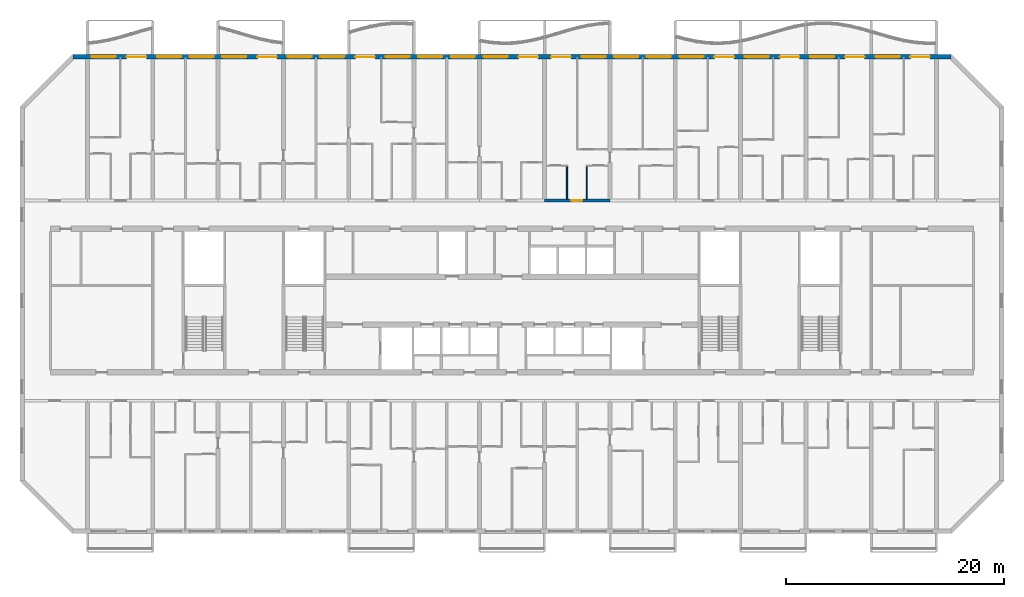
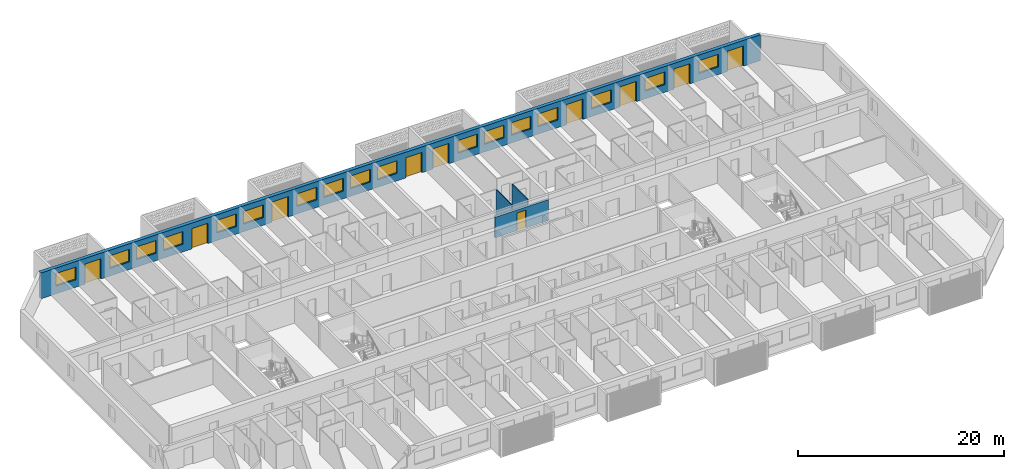
# One storey, part 12 of 27: 17 windows, 10 doors, 4 walls, 27 openings.
"""IFC4 building model written with IfcOpenShell, lengths in metres."""

from ifc_helpers import new_model, si_unit, direction, frame, frame_2d, origin, place, context, subcontext, project, spatial, rectangle, extrude, material, layer, layer_set, type_object, element, fill, save


model = new_model("IFC4")

# Units and contexts
model_context = context("Model", 3, precision=1e-05, world=origin(), true_north=direction((0.0, 1.0)))
body_context = subcontext(model_context, "Body", "Model", "MODEL_VIEW")
ifc_project = project(units=[si_unit("LENGTHUNIT", "METRE"), si_unit("AREAUNIT", "SQUARE_METRE"), si_unit("VOLUMEUNIT", "CUBIC_METRE"), si_unit("PLANEANGLEUNIT", "RADIAN"), si_unit("MASSUNIT", "GRAM", prefix="KILO")], contexts=[model_context])

# Site, building, storey
site_placement = place(None, origin())
site = spatial("IfcSite", under=ifc_project, at=site_placement, CompositionType="ELEMENT")
building_placement = place(site_placement, origin())
building = spatial("IfcBuilding", under=site, at=building_placement, Name="Poui Terraces", CompositionType="ELEMENT")
storey_placement = place(building_placement, frame((0.0, 0.0, 92.699951171875)))
storey = spatial("IfcBuildingStorey", under=building, at=storey_placement, Name="L25", CompositionType="ELEMENT", Elevation=92.699951171875)

# Wall, opening, door
ifc_material_1 = material(Name="Concrete 65 MPa", Category="concrete")
ifc_layer_1 = layer(ifc_material_1, 0.25)
ifc_layer_set_1 = layer_set([ifc_layer_1], Name="Concrete 65 MPa")
wall_type_1 = type_object("IfcWallType", Name="CORRIDOR WALL 250 65MPa", PredefinedType="SHEAR", material=ifc_layer_set_1)
wall_1_placement = place(storey_placement, frame((54.0, 30.39990234375, 0.0), z_axis=(0.0, 0.0, 1.0), x_axis=(1.0, 0.0, 0.0)))
wall_1 = element("IfcWall", 1, at=wall_1_placement, inside=storey, type_object=wall_type_1, Name="CORRIDOR WALL LINE E BAY 9", PredefinedType="SHEAR", context=body_context, shape_type="SweptSolid", body=[
    extrude(rectangle(XDim=6.0, YDim=0.25, at=frame_2d((3.0, 0.0))), origin(), (0.0, 0.0, 1.0), 2.4599609375),
])
opening_1_placement = place(wall_1_placement, frame((2.449951171875, 0.0, 0.0)))
opening_1 = element("IfcOpeningElement", 2, at=opening_1_placement, cuts=wall_1, Name="Opening FD30S", PredefinedType="OPENING", context=body_context, shape_type="SweptSolid", body=[
    extrude(rectangle(XDim=1.0, YDim=2.10009765625, at=frame_2d((0.5, 1.050048828125))), frame((0.0, 0.135009765625, 0.0), z_axis=(0.0, -1.0, 0.0), x_axis=(1.0, 0.0, 0.0)), (0.0, 0.0, 1.0), 0.27001953125),
])
ifc_material_2 = material(Name="Steel fire door", Category="steel")
door_type_1 = type_object("IfcDoorType", Name="FLAT ENTRANCE DOOR 1000 X 2100", OperationType="NOTDEFINED", PredefinedType="DOOR", material=ifc_material_2)
door_1_placement = place(opening_1_placement, origin())
door_1 = element("IfcDoor", 3, at=door_1_placement, inside=storey, type_object=door_type_1, Name="FLAT ENTRANCE DOOR 062", OperationType="SINGLE_SWING_LEFT", OverallHeight=2.10009765625, OverallWidth=1.0, PredefinedType="DOOR", context=body_context, shape_type="SweptSolid", body=[
    extrude(rectangle(XDim=1.0, YDim=2.10009765625, at=frame_2d((0.5, 1.050048828125))), frame((0.0, 0.02490234375, 0.0), z_axis=(0.0, -1.0, 0.0), x_axis=(1.0, 0.0, 0.0)), (0.0, 0.0, 1.0), 0.050048828125),
])
fill(opening_1, door_1)

# Wall, openings, doors, windows
ifc_material_3 = material(Name="Precast concrete 40 MPa", Category="concrete")
ifc_layer_2 = layer(ifc_material_3, 0.39990234375)
ifc_layer_set_2 = layer_set([ifc_layer_2], Name="Precast concrete 40 MPa")
wall_type_2 = type_object("IfcWallType", Name="EXTERNAL WALL 400", PredefinedType="STANDARD", material=ifc_layer_set_2)
wall_2_placement = place(storey_placement, frame((91.317138671875, 43.60009765625, 0.0), z_axis=(0.0, 0.0, 1.0), x_axis=(-1.0, 0.0, 0.0)))
wall_2 = element("IfcWall", 4, at=wall_2_placement, inside=storey, type_object=wall_type_2, Name="EXTERNAL WALL N", PredefinedType="STANDARD", context=body_context, shape_type="SweptSolid", body=[
    extrude(rectangle(XDim=80.63427734375, YDim=0.39990234375, at=frame_2d((40.317138671875, 0.0))), origin(), (0.0, 0.0, 1.0), 3.06005859375),
])
opening_2_placement = place(wall_2_placement, frame((76.71728515625, 0.0, 0.89990234375)))
opening_2 = element("IfcOpeningElement", 5, at=opening_2_placement, cuts=wall_2, Name="Opening W1", PredefinedType="OPENING", context=body_context, shape_type="SweptSolid", body=[
    extrude(rectangle(XDim=2.199951171875, YDim=1.5, at=frame_2d((1.10009765625, 0.75))), frame((0.0, 0.2099609375, 0.0), z_axis=(0.0, -1.0, 0.0), x_axis=(1.0, 0.0, 0.0)), (0.0, 0.0, 1.0), 0.419921875),
])
opening_3_placement = place(wall_2_placement, frame((73.917236328125, 0.0, 0.0)))
opening_3 = element("IfcOpeningElement", 6, at=opening_3_placement, cuts=wall_2, Name="Opening BD1", PredefinedType="OPENING", context=body_context, shape_type="SweptSolid", body=[
    extrude(rectangle(XDim=1.800048828125, YDim=2.39990234375, at=frame_2d((0.89990234375, 1.199951171875))), frame((0.0, 0.2099609375, 0.0), z_axis=(0.0, -1.0, 0.0), x_axis=(1.0, 0.0, 0.0)), (0.0, 0.0, 1.0), 0.419921875),
])
opening_4_placement = place(wall_2_placement, frame((70.71728515625, 0.0, 0.89990234375)))
opening_4 = element("IfcOpeningElement", 7, at=opening_4_placement, cuts=wall_2, Name="Opening W1", PredefinedType="OPENING", context=body_context, shape_type="SweptSolid", body=[
    extrude(rectangle(XDim=2.199951171875, YDim=1.5, at=frame_2d((1.10009765625, 0.75))), frame((0.0, 0.2099609375, 0.0), z_axis=(0.0, -1.0, 0.0), x_axis=(1.0, 0.0, 0.0)), (0.0, 0.0, 1.0), 0.419921875),
])
opening_5_placement = place(wall_2_placement, frame((67.71728515625, 0.0, 0.89990234375)))
opening_5 = element("IfcOpeningElement", 8, at=opening_5_placement, cuts=wall_2, Name="Opening W1", PredefinedType="OPENING", context=body_context, shape_type="SweptSolid", body=[
    extrude(rectangle(XDim=2.199951171875, YDim=1.5, at=frame_2d((1.10009765625, 0.75))), frame((0.0, 0.2099609375, 0.0), z_axis=(0.0, -1.0, 0.0), x_axis=(1.0, 0.0, 0.0)), (0.0, 0.0, 1.0), 0.419921875),
])
opening_6_placement = place(wall_2_placement, frame((64.71728515625, 0.0, 0.89990234375)))
opening_6 = element("IfcOpeningElement", 9, at=opening_6_placement, cuts=wall_2, Name="Opening W1", PredefinedType="OPENING", context=body_context, shape_type="SweptSolid", body=[
    extrude(rectangle(XDim=2.199951171875, YDim=1.5, at=frame_2d((1.10009765625, 0.75))), frame((0.0, 0.2099609375, 0.0), z_axis=(0.0, -1.0, 0.0), x_axis=(1.0, 0.0, 0.0)), (0.0, 0.0, 1.0), 0.419921875),
])
opening_7_placement = place(wall_2_placement, frame((61.917236328125, 0.0, 0.0)))
opening_7 = element("IfcOpeningElement", 10, at=opening_7_placement, cuts=wall_2, Name="Opening BD1", PredefinedType="OPENING", context=body_context, shape_type="SweptSolid", body=[
    extrude(rectangle(XDim=1.800048828125, YDim=2.39990234375, at=frame_2d((0.89990234375, 1.199951171875))), frame((0.0, 0.2099609375, 0.0), z_axis=(0.0, -1.0, 0.0), x_axis=(1.0, 0.0, 0.0)), (0.0, 0.0, 1.0), 0.419921875),
])
opening_8_placement = place(wall_2_placement, frame((58.71728515625, 0.0, 0.89990234375)))
opening_8 = element("IfcOpeningElement", 11, at=opening_8_placement, cuts=wall_2, Name="Opening W1", PredefinedType="OPENING", context=body_context, shape_type="SweptSolid", body=[
    extrude(rectangle(XDim=2.199951171875, YDim=1.5, at=frame_2d((1.10009765625, 0.75))), frame((0.0, 0.2099609375, 0.0), z_axis=(0.0, -1.0, 0.0), x_axis=(1.0, 0.0, 0.0)), (0.0, 0.0, 1.0), 0.419921875),
])
opening_9_placement = place(wall_2_placement, frame((55.71728515625, 0.0, 0.89990234375)))
opening_9 = element("IfcOpeningElement", 12, at=opening_9_placement, cuts=wall_2, Name="Opening W1", PredefinedType="OPENING", context=body_context, shape_type="SweptSolid", body=[
    extrude(rectangle(XDim=2.199951171875, YDim=1.5, at=frame_2d((1.10009765625, 0.75))), frame((0.0, 0.2099609375, 0.0), z_axis=(0.0, -1.0, 0.0), x_axis=(1.0, 0.0, 0.0)), (0.0, 0.0, 1.0), 0.419921875),
])
opening_10_placement = place(wall_2_placement, frame((52.917236328125, 0.0, 0.0)))
opening_10 = element("IfcOpeningElement", 13, at=opening_10_placement, cuts=wall_2, Name="Opening BD1", PredefinedType="OPENING", context=body_context, shape_type="SweptSolid", body=[
    extrude(rectangle(XDim=1.800048828125, YDim=2.39990234375, at=frame_2d((0.89990234375, 1.199951171875))), frame((0.0, 0.2099609375, 0.0), z_axis=(0.0, -1.0, 0.0), x_axis=(1.0, 0.0, 0.0)), (0.0, 0.0, 1.0), 0.419921875),
])
opening_11_placement = place(wall_2_placement, frame((49.71728515625, 0.0, 0.89990234375)))
opening_11 = element("IfcOpeningElement", 14, at=opening_11_placement, cuts=wall_2, Name="Opening W1", PredefinedType="OPENING", context=body_context, shape_type="SweptSolid", body=[
    extrude(rectangle(XDim=2.199951171875, YDim=1.5, at=frame_2d((1.10009765625, 0.75))), frame((0.0, 0.2099609375, 0.0), z_axis=(0.0, -1.0, 0.0), x_axis=(1.0, 0.0, 0.0)), (0.0, 0.0, 1.0), 0.419921875),
])
opening_12_placement = place(wall_2_placement, frame((46.71728515625, 0.0, 0.89990234375)))
opening_12 = element("IfcOpeningElement", 15, at=opening_12_placement, cuts=wall_2, Name="Opening W1", PredefinedType="OPENING", context=body_context, shape_type="SweptSolid", body=[
    extrude(rectangle(XDim=2.199951171875, YDim=1.5, at=frame_2d((1.10009765625, 0.75))), frame((0.0, 0.2099609375, 0.0), z_axis=(0.0, -1.0, 0.0), x_axis=(1.0, 0.0, 0.0)), (0.0, 0.0, 1.0), 0.419921875),
])
opening_13_placement = place(wall_2_placement, frame((43.71728515625, 0.0, 0.89990234375)))
opening_13 = element("IfcOpeningElement", 16, at=opening_13_placement, cuts=wall_2, Name="Opening W1", PredefinedType="OPENING", context=body_context, shape_type="SweptSolid", body=[
    extrude(rectangle(XDim=2.199951171875, YDim=1.5, at=frame_2d((1.10009765625, 0.75))), frame((0.0, 0.2099609375, 0.0), z_axis=(0.0, -1.0, 0.0), x_axis=(1.0, 0.0, 0.0)), (0.0, 0.0, 1.0), 0.419921875),
])
opening_14_placement = place(wall_2_placement, frame((40.71728515625, 0.0, 0.89990234375)))
opening_14 = element("IfcOpeningElement", 17, at=opening_14_placement, cuts=wall_2, Name="Opening W1", PredefinedType="OPENING", context=body_context, shape_type="SweptSolid", body=[
    extrude(rectangle(XDim=2.199951171875, YDim=1.5, at=frame_2d((1.10009765625, 0.75))), frame((0.0, 0.2099609375, 0.0), z_axis=(0.0, -1.0, 0.0), x_axis=(1.0, 0.0, 0.0)), (0.0, 0.0, 1.0), 0.419921875),
])
opening_15_placement = place(wall_2_placement, frame((37.917236328125, 0.0, 0.0)))
opening_15 = element("IfcOpeningElement", 18, at=opening_15_placement, cuts=wall_2, Name="Opening BD1", PredefinedType="OPENING", context=body_context, shape_type="SweptSolid", body=[
    extrude(rectangle(XDim=1.800048828125, YDim=2.39990234375, at=frame_2d((0.89990234375, 1.199951171875))), frame((0.0, 0.2099609375, 0.0), z_axis=(0.0, -1.0, 0.0), x_axis=(1.0, 0.0, 0.0)), (0.0, 0.0, 1.0), 0.419921875),
])
opening_16_placement = place(wall_2_placement, frame((34.917236328125, 0.0, 0.0)))
opening_16 = element("IfcOpeningElement", 19, at=opening_16_placement, cuts=wall_2, Name="Opening BD1", PredefinedType="OPENING", context=body_context, shape_type="SweptSolid", body=[
    extrude(rectangle(XDim=1.800048828125, YDim=2.39990234375, at=frame_2d((0.89990234375, 1.199951171875))), frame((0.0, 0.2099609375, 0.0), z_axis=(0.0, -1.0, 0.0), x_axis=(1.0, 0.0, 0.0)), (0.0, 0.0, 1.0), 0.419921875),
])
opening_17_placement = place(wall_2_placement, frame((31.71728515625, 0.0, 0.89990234375)))
opening_17 = element("IfcOpeningElement", 20, at=opening_17_placement, cuts=wall_2, Name="Opening W1", PredefinedType="OPENING", context=body_context, shape_type="SweptSolid", body=[
    extrude(rectangle(XDim=2.199951171875, YDim=1.5, at=frame_2d((1.10009765625, 0.75))), frame((0.0, 0.2099609375, 0.0), z_axis=(0.0, -1.0, 0.0), x_axis=(1.0, 0.0, 0.0)), (0.0, 0.0, 1.0), 0.419921875),
])
opening_18_placement = place(wall_2_placement, frame((28.71728515625, 0.0, 0.89990234375)))
opening_18 = element("IfcOpeningElement", 21, at=opening_18_placement, cuts=wall_2, Name="Opening W1", PredefinedType="OPENING", context=body_context, shape_type="SweptSolid", body=[
    extrude(rectangle(XDim=2.199951171875, YDim=1.5, at=frame_2d((1.10009765625, 0.75))), frame((0.0, 0.2099609375, 0.0), z_axis=(0.0, -1.0, 0.0), x_axis=(1.0, 0.0, 0.0)), (0.0, 0.0, 1.0), 0.419921875),
])
opening_19_placement = place(wall_2_placement, frame((25.71728515625, 0.0, 0.89990234375)))
opening_19 = element("IfcOpeningElement", 22, at=opening_19_placement, cuts=wall_2, Name="Opening W1", PredefinedType="OPENING", context=body_context, shape_type="SweptSolid", body=[
    extrude(rectangle(XDim=2.199951171875, YDim=1.5, at=frame_2d((1.10009765625, 0.75))), frame((0.0, 0.2099609375, 0.0), z_axis=(0.0, -1.0, 0.0), x_axis=(1.0, 0.0, 0.0)), (0.0, 0.0, 1.0), 0.419921875),
])
opening_20_placement = place(wall_2_placement, frame((22.71728515625, 0.0, 0.89990234375)))
opening_20 = element("IfcOpeningElement", 23, at=opening_20_placement, cuts=wall_2, Name="Opening W1", PredefinedType="OPENING", context=body_context, shape_type="SweptSolid", body=[
    extrude(rectangle(XDim=2.199951171875, YDim=1.5, at=frame_2d((1.10009765625, 0.75))), frame((0.0, 0.2099609375, 0.0), z_axis=(0.0, -1.0, 0.0), x_axis=(1.0, 0.0, 0.0)), (0.0, 0.0, 1.0), 0.419921875),
])
opening_21_placement = place(wall_2_placement, frame((19.917236328125, 0.0, 0.0)))
opening_21 = element("IfcOpeningElement", 24, at=opening_21_placement, cuts=wall_2, Name="Opening BD1", PredefinedType="OPENING", context=body_context, shape_type="SweptSolid", body=[
    extrude(rectangle(XDim=1.800048828125, YDim=2.39990234375, at=frame_2d((0.89990234375, 1.199951171875))), frame((0.0, 0.2099609375, 0.0), z_axis=(0.0, -1.0, 0.0), x_axis=(1.0, 0.0, 0.0)), (0.0, 0.0, 1.0), 0.419921875),
])
opening_22_placement = place(wall_2_placement, frame((16.71728515625, 0.0, 0.89990234375)))
opening_22 = element("IfcOpeningElement", 25, at=opening_22_placement, cuts=wall_2, Name="Opening W1", PredefinedType="OPENING", context=body_context, shape_type="SweptSolid", body=[
    extrude(rectangle(XDim=2.199951171875, YDim=1.5, at=frame_2d((1.10009765625, 0.75))), frame((0.0, 0.2099609375, 0.0), z_axis=(0.0, -1.0, 0.0), x_axis=(1.0, 0.0, 0.0)), (0.0, 0.0, 1.0), 0.419921875),
])
opening_23_placement = place(wall_2_placement, frame((13.917236328125, 0.0, 0.0)))
opening_23 = element("IfcOpeningElement", 26, at=opening_23_placement, cuts=wall_2, Name="Opening BD1", PredefinedType="OPENING", context=body_context, shape_type="SweptSolid", body=[
    extrude(rectangle(XDim=1.800048828125, YDim=2.39990234375, at=frame_2d((0.89990234375, 1.199951171875))), frame((0.0, 0.2099609375, 0.0), z_axis=(0.0, -1.0, 0.0), x_axis=(1.0, 0.0, 0.0)), (0.0, 0.0, 1.0), 0.419921875),
])
opening_24_placement = place(wall_2_placement, frame((10.71728515625, 0.0, 0.89990234375)))
opening_24 = element("IfcOpeningElement", 27, at=opening_24_placement, cuts=wall_2, Name="Opening W1", PredefinedType="OPENING", context=body_context, shape_type="SweptSolid", body=[
    extrude(rectangle(XDim=2.199951171875, YDim=1.5, at=frame_2d((1.10009765625, 0.75))), frame((0.0, 0.2099609375, 0.0), z_axis=(0.0, -1.0, 0.0), x_axis=(1.0, 0.0, 0.0)), (0.0, 0.0, 1.0), 0.419921875),
])
opening_25_placement = place(wall_2_placement, frame((7.917236328125, 0.0, 0.0)))
opening_25 = element("IfcOpeningElement", 28, at=opening_25_placement, cuts=wall_2, Name="Opening BD1", PredefinedType="OPENING", context=body_context, shape_type="SweptSolid", body=[
    extrude(rectangle(XDim=1.800048828125, YDim=2.39990234375, at=frame_2d((0.89990234375, 1.199951171875))), frame((0.0, 0.2099609375, 0.0), z_axis=(0.0, -1.0, 0.0), x_axis=(1.0, 0.0, 0.0)), (0.0, 0.0, 1.0), 0.419921875),
])
opening_26_placement = place(wall_2_placement, frame((4.71728515625, 0.0, 0.89990234375)))
opening_26 = element("IfcOpeningElement", 29, at=opening_26_placement, cuts=wall_2, Name="Opening W1", PredefinedType="OPENING", context=body_context, shape_type="SweptSolid", body=[
    extrude(rectangle(XDim=2.199951171875, YDim=1.5, at=frame_2d((1.10009765625, 0.75))), frame((0.0, 0.2099609375, 0.0), z_axis=(0.0, -1.0, 0.0), x_axis=(1.0, 0.0, 0.0)), (0.0, 0.0, 1.0), 0.419921875),
])
opening_27_placement = place(wall_2_placement, frame((1.917236328125, 0.0, 0.0)))
opening_27 = element("IfcOpeningElement", 30, at=opening_27_placement, cuts=wall_2, Name="Opening BD1", PredefinedType="OPENING", context=body_context, shape_type="SweptSolid", body=[
    extrude(rectangle(XDim=1.800048828125, YDim=2.39990234375, at=frame_2d((0.89990234375, 1.199951171875))), frame((0.0, 0.2099609375, 0.0), z_axis=(0.0, -1.0, 0.0), x_axis=(1.0, 0.0, 0.0)), (0.0, 0.0, 1.0), 0.419921875),
])
ifc_material_4 = material(Name="Clear glass in aluminium frame", Category="aluminium")
door_type_2 = type_object("IfcDoorType", Name="BALCONY DOOR 1800X2400", OperationType="DOUBLE_DOOR_SLIDING", PredefinedType="DOOR", material=ifc_material_4)
door_2_placement = place(opening_3_placement, origin())
door_2 = element("IfcDoor", 31, at=door_2_placement, inside=storey, type_object=door_type_2, Name="BD1 BALCONY DOOR", OperationType="DOUBLE_DOOR_SLIDING", OverallHeight=2.39990234375, OverallWidth=1.800048828125, PredefinedType="DOOR", context=body_context, shape_type="SweptSolid", body=[
    extrude(rectangle(XDim=1.800048828125, YDim=2.39990234375, at=frame_2d((0.89990234375, 1.199951171875))), frame((0.0, 0.02490234375, 0.0), z_axis=(0.0, -1.0, 0.0), x_axis=(1.0, 0.0, 0.0)), (0.0, 0.0, 1.0), 0.050048828125),
])
fill(opening_3, door_2)
door_3_placement = place(opening_7_placement, origin())
door_3 = element("IfcDoor", 32, at=door_3_placement, inside=storey, type_object=door_type_2, Name="BD1 BALCONY DOOR", OperationType="DOUBLE_DOOR_SLIDING", OverallHeight=2.39990234375, OverallWidth=1.800048828125, PredefinedType="DOOR", context=body_context, shape_type="SweptSolid", body=[
    extrude(rectangle(XDim=1.800048828125, YDim=2.39990234375, at=frame_2d((0.89990234375, 1.199951171875))), frame((0.0, 0.02490234375, 0.0), z_axis=(0.0, -1.0, 0.0), x_axis=(1.0, 0.0, 0.0)), (0.0, 0.0, 1.0), 0.050048828125),
])
fill(opening_7, door_3)
door_4_placement = place(opening_10_placement, origin())
door_4 = element("IfcDoor", 33, at=door_4_placement, inside=storey, type_object=door_type_2, Name="BD1 BALCONY DOOR", OperationType="DOUBLE_DOOR_SLIDING", OverallHeight=2.39990234375, OverallWidth=1.800048828125, PredefinedType="DOOR", context=body_context, shape_type="SweptSolid", body=[
    extrude(rectangle(XDim=1.800048828125, YDim=2.39990234375, at=frame_2d((0.89990234375, 1.199951171875))), frame((0.0, 0.02490234375, 0.0), z_axis=(0.0, -1.0, 0.0), x_axis=(1.0, 0.0, 0.0)), (0.0, 0.0, 1.0), 0.050048828125),
])
fill(opening_10, door_4)
door_5_placement = place(opening_15_placement, origin())
door_5 = element("IfcDoor", 34, at=door_5_placement, inside=storey, type_object=door_type_2, Name="BD1 BALCONY DOOR", OperationType="DOUBLE_DOOR_SLIDING", OverallHeight=2.39990234375, OverallWidth=1.800048828125, PredefinedType="DOOR", context=body_context, shape_type="SweptSolid", body=[
    extrude(rectangle(XDim=1.800048828125, YDim=2.39990234375, at=frame_2d((0.89990234375, 1.199951171875))), frame((0.0, 0.02490234375, 0.0), z_axis=(0.0, -1.0, 0.0), x_axis=(1.0, 0.0, 0.0)), (0.0, 0.0, 1.0), 0.050048828125),
])
fill(opening_15, door_5)
door_6_placement = place(opening_16_placement, origin())
door_6 = element("IfcDoor", 35, at=door_6_placement, inside=storey, type_object=door_type_2, Name="BD1 BALCONY DOOR", OperationType="DOUBLE_DOOR_SLIDING", OverallHeight=2.39990234375, OverallWidth=1.800048828125, PredefinedType="DOOR", context=body_context, shape_type="SweptSolid", body=[
    extrude(rectangle(XDim=1.800048828125, YDim=2.39990234375, at=frame_2d((0.89990234375, 1.199951171875))), frame((0.0, 0.02490234375, 0.0), z_axis=(0.0, -1.0, 0.0), x_axis=(1.0, 0.0, 0.0)), (0.0, 0.0, 1.0), 0.050048828125),
])
fill(opening_16, door_6)
door_7_placement = place(opening_21_placement, origin())
door_7 = element("IfcDoor", 36, at=door_7_placement, inside=storey, type_object=door_type_2, Name="BD1 BALCONY DOOR", OperationType="DOUBLE_DOOR_SLIDING", OverallHeight=2.39990234375, OverallWidth=1.800048828125, PredefinedType="DOOR", context=body_context, shape_type="SweptSolid", body=[
    extrude(rectangle(XDim=1.800048828125, YDim=2.39990234375, at=frame_2d((0.89990234375, 1.199951171875))), frame((0.0, 0.02490234375, 0.0), z_axis=(0.0, -1.0, 0.0), x_axis=(1.0, 0.0, 0.0)), (0.0, 0.0, 1.0), 0.050048828125),
])
fill(opening_21, door_7)
door_8_placement = place(opening_23_placement, origin())
door_8 = element("IfcDoor", 37, at=door_8_placement, inside=storey, type_object=door_type_2, Name="BD1 BALCONY DOOR", OperationType="DOUBLE_DOOR_SLIDING", OverallHeight=2.39990234375, OverallWidth=1.800048828125, PredefinedType="DOOR", context=body_context, shape_type="SweptSolid", body=[
    extrude(rectangle(XDim=1.800048828125, YDim=2.39990234375, at=frame_2d((0.89990234375, 1.199951171875))), frame((0.0, 0.02490234375, 0.0), z_axis=(0.0, -1.0, 0.0), x_axis=(1.0, 0.0, 0.0)), (0.0, 0.0, 1.0), 0.050048828125),
])
fill(opening_23, door_8)
door_9_placement = place(opening_25_placement, origin())
door_9 = element("IfcDoor", 38, at=door_9_placement, inside=storey, type_object=door_type_2, Name="BD1 BALCONY DOOR", OperationType="DOUBLE_DOOR_SLIDING", OverallHeight=2.39990234375, OverallWidth=1.800048828125, PredefinedType="DOOR", context=body_context, shape_type="SweptSolid", body=[
    extrude(rectangle(XDim=1.800048828125, YDim=2.39990234375, at=frame_2d((0.89990234375, 1.199951171875))), frame((0.0, 0.02490234375, 0.0), z_axis=(0.0, -1.0, 0.0), x_axis=(1.0, 0.0, 0.0)), (0.0, 0.0, 1.0), 0.050048828125),
])
fill(opening_25, door_9)
door_10_placement = place(opening_27_placement, origin())
door_10 = element("IfcDoor", 39, at=door_10_placement, inside=storey, type_object=door_type_2, Name="BD1 BALCONY DOOR", OperationType="DOUBLE_DOOR_SLIDING", OverallHeight=2.39990234375, OverallWidth=1.800048828125, PredefinedType="DOOR", context=body_context, shape_type="SweptSolid", body=[
    extrude(rectangle(XDim=1.800048828125, YDim=2.39990234375, at=frame_2d((0.89990234375, 1.199951171875))), frame((0.0, 0.02490234375, 0.0), z_axis=(0.0, -1.0, 0.0), x_axis=(1.0, 0.0, 0.0)), (0.0, 0.0, 1.0), 0.050048828125),
])
fill(opening_27, door_10)
window_type = type_object("IfcWindowType", Name="WINDOW 2200X1500", PartitioningType="DOUBLE_PANEL_HORIZONTAL", PredefinedType="WINDOW", material=ifc_material_4)
window_1_placement = place(opening_2_placement, origin())
window_1 = element("IfcWindow", 40, at=window_1_placement, inside=storey, type_object=window_type, Name="W1 WINDOW", OverallHeight=1.5, OverallWidth=2.199951171875, PartitioningType="DOUBLE_PANEL_HORIZONTAL", PredefinedType="WINDOW", context=body_context, shape_type="SweptSolid", body=[
    extrude(rectangle(XDim=2.199951171875, YDim=1.5, at=frame_2d((1.10009765625, 0.75))), frame((0.0, 0.030029296875, 0.0), z_axis=(0.0, -1.0, 0.0), x_axis=(1.0, 0.0, 0.0)), (0.0, 0.0, 1.0), 0.06005859375),
])
fill(opening_2, window_1)
window_2_placement = place(opening_4_placement, origin())
window_2 = element("IfcWindow", 41, at=window_2_placement, inside=storey, type_object=window_type, Name="W1 WINDOW", OverallHeight=1.5, OverallWidth=2.199951171875, PartitioningType="DOUBLE_PANEL_HORIZONTAL", PredefinedType="WINDOW", context=body_context, shape_type="SweptSolid", body=[
    extrude(rectangle(XDim=2.199951171875, YDim=1.5, at=frame_2d((1.10009765625, 0.75))), frame((0.0, 0.030029296875, 0.0), z_axis=(0.0, -1.0, 0.0), x_axis=(1.0, 0.0, 0.0)), (0.0, 0.0, 1.0), 0.06005859375),
])
fill(opening_4, window_2)
window_3_placement = place(opening_5_placement, origin())
window_3 = element("IfcWindow", 42, at=window_3_placement, inside=storey, type_object=window_type, Name="W1 WINDOW", OverallHeight=1.5, OverallWidth=2.199951171875, PartitioningType="DOUBLE_PANEL_HORIZONTAL", PredefinedType="WINDOW", context=body_context, shape_type="SweptSolid", body=[
    extrude(rectangle(XDim=2.199951171875, YDim=1.5, at=frame_2d((1.10009765625, 0.75))), frame((0.0, 0.030029296875, 0.0), z_axis=(0.0, -1.0, 0.0), x_axis=(1.0, 0.0, 0.0)), (0.0, 0.0, 1.0), 0.06005859375),
])
fill(opening_5, window_3)
window_4_placement = place(opening_6_placement, origin())
window_4 = element("IfcWindow", 43, at=window_4_placement, inside=storey, type_object=window_type, Name="W1 WINDOW", OverallHeight=1.5, OverallWidth=2.199951171875, PartitioningType="DOUBLE_PANEL_HORIZONTAL", PredefinedType="WINDOW", context=body_context, shape_type="SweptSolid", body=[
    extrude(rectangle(XDim=2.199951171875, YDim=1.5, at=frame_2d((1.10009765625, 0.75))), frame((0.0, 0.030029296875, 0.0), z_axis=(0.0, -1.0, 0.0), x_axis=(1.0, 0.0, 0.0)), (0.0, 0.0, 1.0), 0.06005859375),
])
fill(opening_6, window_4)
window_5_placement = place(opening_8_placement, origin())
window_5 = element("IfcWindow", 44, at=window_5_placement, inside=storey, type_object=window_type, Name="W1 WINDOW", OverallHeight=1.5, OverallWidth=2.199951171875, PartitioningType="DOUBLE_PANEL_HORIZONTAL", PredefinedType="WINDOW", context=body_context, shape_type="SweptSolid", body=[
    extrude(rectangle(XDim=2.199951171875, YDim=1.5, at=frame_2d((1.10009765625, 0.75))), frame((0.0, 0.030029296875, 0.0), z_axis=(0.0, -1.0, 0.0), x_axis=(1.0, 0.0, 0.0)), (0.0, 0.0, 1.0), 0.06005859375),
])
fill(opening_8, window_5)
window_6_placement = place(opening_9_placement, origin())
window_6 = element("IfcWindow", 45, at=window_6_placement, inside=storey, type_object=window_type, Name="W1 WINDOW", OverallHeight=1.5, OverallWidth=2.199951171875, PartitioningType="DOUBLE_PANEL_HORIZONTAL", PredefinedType="WINDOW", context=body_context, shape_type="SweptSolid", body=[
    extrude(rectangle(XDim=2.199951171875, YDim=1.5, at=frame_2d((1.10009765625, 0.75))), frame((0.0, 0.030029296875, 0.0), z_axis=(0.0, -1.0, 0.0), x_axis=(1.0, 0.0, 0.0)), (0.0, 0.0, 1.0), 0.06005859375),
])
fill(opening_9, window_6)
window_7_placement = place(opening_11_placement, origin())
window_7 = element("IfcWindow", 46, at=window_7_placement, inside=storey, type_object=window_type, Name="W1 WINDOW", OverallHeight=1.5, OverallWidth=2.199951171875, PartitioningType="DOUBLE_PANEL_HORIZONTAL", PredefinedType="WINDOW", context=body_context, shape_type="SweptSolid", body=[
    extrude(rectangle(XDim=2.199951171875, YDim=1.5, at=frame_2d((1.10009765625, 0.75))), frame((0.0, 0.030029296875, 0.0), z_axis=(0.0, -1.0, 0.0), x_axis=(1.0, 0.0, 0.0)), (0.0, 0.0, 1.0), 0.06005859375),
])
fill(opening_11, window_7)
window_8_placement = place(opening_12_placement, origin())
window_8 = element("IfcWindow", 47, at=window_8_placement, inside=storey, type_object=window_type, Name="W1 WINDOW", OverallHeight=1.5, OverallWidth=2.199951171875, PartitioningType="DOUBLE_PANEL_HORIZONTAL", PredefinedType="WINDOW", context=body_context, shape_type="SweptSolid", body=[
    extrude(rectangle(XDim=2.199951171875, YDim=1.5, at=frame_2d((1.10009765625, 0.75))), frame((0.0, 0.030029296875, 0.0), z_axis=(0.0, -1.0, 0.0), x_axis=(1.0, 0.0, 0.0)), (0.0, 0.0, 1.0), 0.06005859375),
])
fill(opening_12, window_8)
window_9_placement = place(opening_13_placement, origin())
window_9 = element("IfcWindow", 48, at=window_9_placement, inside=storey, type_object=window_type, Name="W1 WINDOW", OverallHeight=1.5, OverallWidth=2.199951171875, PartitioningType="DOUBLE_PANEL_HORIZONTAL", PredefinedType="WINDOW", context=body_context, shape_type="SweptSolid", body=[
    extrude(rectangle(XDim=2.199951171875, YDim=1.5, at=frame_2d((1.10009765625, 0.75))), frame((0.0, 0.030029296875, 0.0), z_axis=(0.0, -1.0, 0.0), x_axis=(1.0, 0.0, 0.0)), (0.0, 0.0, 1.0), 0.06005859375),
])
fill(opening_13, window_9)
window_10_placement = place(opening_14_placement, origin())
window_10 = element("IfcWindow", 49, at=window_10_placement, inside=storey, type_object=window_type, Name="W1 WINDOW", OverallHeight=1.5, OverallWidth=2.199951171875, PartitioningType="DOUBLE_PANEL_HORIZONTAL", PredefinedType="WINDOW", context=body_context, shape_type="SweptSolid", body=[
    extrude(rectangle(XDim=2.199951171875, YDim=1.5, at=frame_2d((1.10009765625, 0.75))), frame((0.0, 0.030029296875, 0.0), z_axis=(0.0, -1.0, 0.0), x_axis=(1.0, 0.0, 0.0)), (0.0, 0.0, 1.0), 0.06005859375),
])
fill(opening_14, window_10)
window_11_placement = place(opening_17_placement, origin())
window_11 = element("IfcWindow", 50, at=window_11_placement, inside=storey, type_object=window_type, Name="W1 WINDOW", OverallHeight=1.5, OverallWidth=2.199951171875, PartitioningType="DOUBLE_PANEL_HORIZONTAL", PredefinedType="WINDOW", context=body_context, shape_type="SweptSolid", body=[
    extrude(rectangle(XDim=2.199951171875, YDim=1.5, at=frame_2d((1.10009765625, 0.75))), frame((0.0, 0.030029296875, 0.0), z_axis=(0.0, -1.0, 0.0), x_axis=(1.0, 0.0, 0.0)), (0.0, 0.0, 1.0), 0.06005859375),
])
fill(opening_17, window_11)
window_12_placement = place(opening_18_placement, origin())
window_12 = element("IfcWindow", 51, at=window_12_placement, inside=storey, type_object=window_type, Name="W1 WINDOW", OverallHeight=1.5, OverallWidth=2.199951171875, PartitioningType="DOUBLE_PANEL_HORIZONTAL", PredefinedType="WINDOW", context=body_context, shape_type="SweptSolid", body=[
    extrude(rectangle(XDim=2.199951171875, YDim=1.5, at=frame_2d((1.10009765625, 0.75))), frame((0.0, 0.030029296875, 0.0), z_axis=(0.0, -1.0, 0.0), x_axis=(1.0, 0.0, 0.0)), (0.0, 0.0, 1.0), 0.06005859375),
])
fill(opening_18, window_12)
window_13_placement = place(opening_19_placement, origin())
window_13 = element("IfcWindow", 52, at=window_13_placement, inside=storey, type_object=window_type, Name="W1 WINDOW", OverallHeight=1.5, OverallWidth=2.199951171875, PartitioningType="DOUBLE_PANEL_HORIZONTAL", PredefinedType="WINDOW", context=body_context, shape_type="SweptSolid", body=[
    extrude(rectangle(XDim=2.199951171875, YDim=1.5, at=frame_2d((1.10009765625, 0.75))), frame((0.0, 0.030029296875, 0.0), z_axis=(0.0, -1.0, 0.0), x_axis=(1.0, 0.0, 0.0)), (0.0, 0.0, 1.0), 0.06005859375),
])
fill(opening_19, window_13)
window_14_placement = place(opening_20_placement, origin())
window_14 = element("IfcWindow", 53, at=window_14_placement, inside=storey, type_object=window_type, Name="W1 WINDOW", OverallHeight=1.5, OverallWidth=2.199951171875, PartitioningType="DOUBLE_PANEL_HORIZONTAL", PredefinedType="WINDOW", context=body_context, shape_type="SweptSolid", body=[
    extrude(rectangle(XDim=2.199951171875, YDim=1.5, at=frame_2d((1.10009765625, 0.75))), frame((0.0, 0.030029296875, 0.0), z_axis=(0.0, -1.0, 0.0), x_axis=(1.0, 0.0, 0.0)), (0.0, 0.0, 1.0), 0.06005859375),
])
fill(opening_20, window_14)
window_15_placement = place(opening_22_placement, origin())
window_15 = element("IfcWindow", 54, at=window_15_placement, inside=storey, type_object=window_type, Name="W1 WINDOW", OverallHeight=1.5, OverallWidth=2.199951171875, PartitioningType="DOUBLE_PANEL_HORIZONTAL", PredefinedType="WINDOW", context=body_context, shape_type="SweptSolid", body=[
    extrude(rectangle(XDim=2.199951171875, YDim=1.5, at=frame_2d((1.10009765625, 0.75))), frame((0.0, 0.030029296875, 0.0), z_axis=(0.0, -1.0, 0.0), x_axis=(1.0, 0.0, 0.0)), (0.0, 0.0, 1.0), 0.06005859375),
])
fill(opening_22, window_15)
window_16_placement = place(opening_24_placement, origin())
window_16 = element("IfcWindow", 55, at=window_16_placement, inside=storey, type_object=window_type, Name="W1 WINDOW", OverallHeight=1.5, OverallWidth=2.199951171875, PartitioningType="DOUBLE_PANEL_HORIZONTAL", PredefinedType="WINDOW", context=body_context, shape_type="SweptSolid", body=[
    extrude(rectangle(XDim=2.199951171875, YDim=1.5, at=frame_2d((1.10009765625, 0.75))), frame((0.0, 0.030029296875, 0.0), z_axis=(0.0, -1.0, 0.0), x_axis=(1.0, 0.0, 0.0)), (0.0, 0.0, 1.0), 0.06005859375),
])
fill(opening_24, window_16)
window_17_placement = place(opening_26_placement, origin())
window_17 = element("IfcWindow", 56, at=window_17_placement, inside=storey, type_object=window_type, Name="W1 WINDOW", OverallHeight=1.5, OverallWidth=2.199951171875, PartitioningType="DOUBLE_PANEL_HORIZONTAL", PredefinedType="WINDOW", context=body_context, shape_type="SweptSolid", body=[
    extrude(rectangle(XDim=2.199951171875, YDim=1.5, at=frame_2d((1.10009765625, 0.75))), frame((0.0, 0.030029296875, 0.0), z_axis=(0.0, -1.0, 0.0), x_axis=(1.0, 0.0, 0.0)), (0.0, 0.0, 1.0), 0.06005859375),
])
fill(opening_26, window_17)

# Walls
ifc_material_5 = material(Name="Plasterboard partition")
ifc_layer_3 = layer(ifc_material_5, 0.10009765625)
ifc_layer_set_3 = layer_set([ifc_layer_3], Name="Plasterboard partition")
wall_type_3 = type_object("IfcWallType", Name="FLAT PARTITION 100", PredefinedType="PARTITIONING", material=ifc_layer_set_3)
for number, where, z_axis, x_axis, name in (
    (57, (56.050048828125, 30.534912109375, 0.0), (0.0, 0.0, 1.0), (0.0, 1.0, 0.0), "FLAT PARTITION 100"),
    (58, (57.85009765625, 30.534912109375, 0.0), (0.0, 0.0, 1.0), (0.0, 1.0, 0.0), "FLAT PARTITION 100"),
):
    element("IfcWall", number, at=place(storey_placement, frame(where, z_axis=z_axis, x_axis=x_axis)), inside=storey, type_object=wall_type_3, Name=name, PredefinedType="PARTITIONING", context=body_context, shape_type="SweptSolid", body=[
        extrude(rectangle(XDim=3.01513671875, YDim=0.10009765625, at=frame_2d((1.507568359375, 0.0))), origin(), (0.0, 0.0, 1.0), 3.06005859375),
    ])

save(model, "model.ifc")
